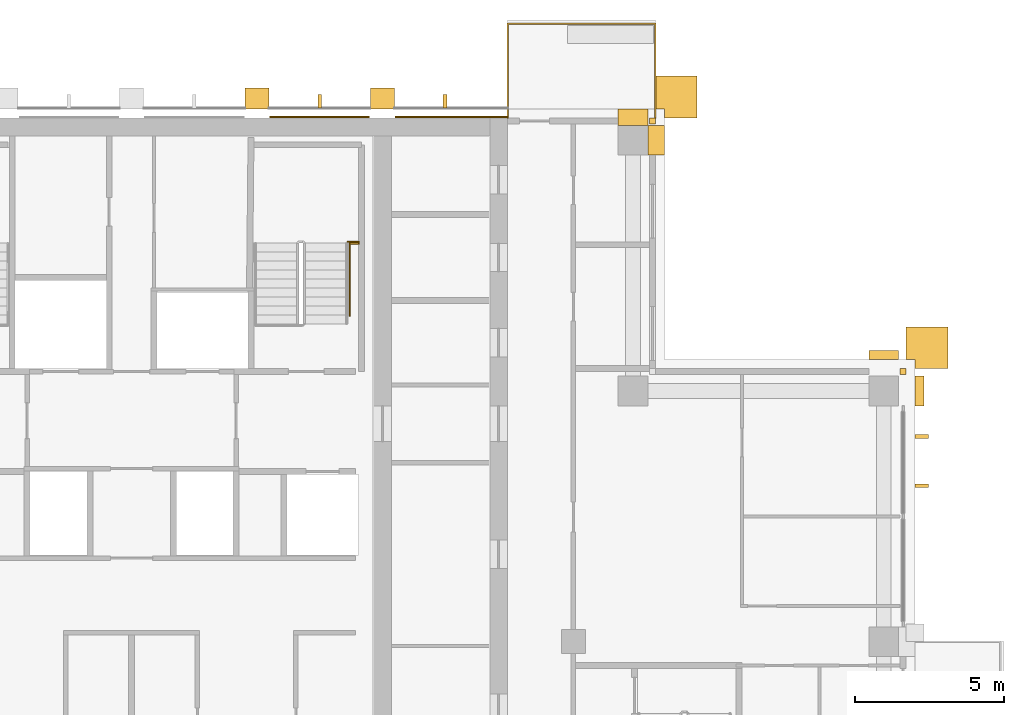
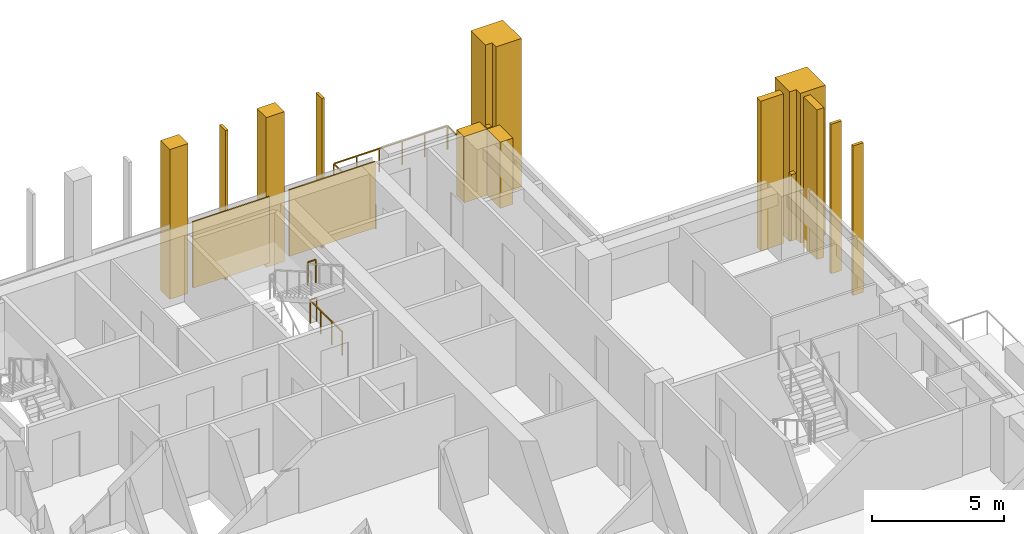
# One storey, part 18 of 18: 16 coverings, 3 railings.
"""IFC4 building model written with IfcOpenShell, lengths in metres."""

from ifc_helpers import new_model, si_unit, direction, frame, origin, origin_2d, place, context, subcontext, project, spatial, polyline, rectangle, outline, extrude, material, layer, layer_set, type_object, element, save


model = new_model("IFC4")

# Units and contexts
model_context = context("Model", 3, precision=1e-05, world=origin(), true_north=direction((0.0, 1.0)))
body_context = subcontext(model_context, "Body", "Model", "MODEL_VIEW")
ifc_project = project(units=[si_unit("LENGTHUNIT", "METRE"), si_unit("AREAUNIT", "SQUARE_METRE"), si_unit("VOLUMEUNIT", "CUBIC_METRE"), si_unit("PLANEANGLEUNIT", "RADIAN"), si_unit("MASSUNIT", "GRAM", prefix="KILO")], contexts=[model_context])

# Site, building, storey
site_placement = place(None, origin())
site = spatial("IfcSite", under=ifc_project, at=site_placement, CompositionType="ELEMENT")
building_placement = place(site_placement, origin())
building = spatial("IfcBuilding", under=site, at=building_placement, Name="Vermilion Ogive Tower", CompositionType="ELEMENT")
storey_placement = place(building_placement, frame((0.0, 0.0, 199.699951171875)))
storey = spatial("IfcBuildingStorey", under=building, at=storey_placement, Name="L52", CompositionType="ELEMENT", Elevation=199.699951171875)

# Railing
ifc_material_1 = material(Name="Stainless steel and glass", Category="steel")
railing_type_1 = type_object("IfcRailingType", Name="Balcony guard", PredefinedType="GUARDRAIL", material=ifc_material_1)
railing_1_placement = place(storey_placement, frame((17.550048828125, 21.75, -0.0400390625)))
element("IfcRailing", 1, at=railing_1_placement, inside=storey, type_object=railing_type_1, Name="Guard N101", PredefinedType="GUARDRAIL", context=body_context, shape_type="SweptSolid", body=[
    extrude(rectangle(XDim=0.048095703125, YDim=0.048095703125, at=origin_2d()), frame((0.0, 0.0, 1.076171875), z_axis=(0.0, 1.0, 0.0), x_axis=(-1.0, 0.0, 0.0)), (0.0, 0.0, 1.0), 3.159912109375),
    extrude(rectangle(XDim=0.048095703125, YDim=0.048095703125, at=origin_2d()), frame((0.0, 3.159912109375, 1.076171875), z_axis=(-1.0, 0.0, 0.0), x_axis=(0.0, -1.0, 0.0)), (0.0, 0.0, 1.0), 4.949951171875),
    extrude(rectangle(XDim=0.048095703125, YDim=0.048095703125, at=origin_2d()), frame((-4.949951171875, 3.159912109375, 1.076171875), z_axis=(0.0, -1.0, 0.0), x_axis=(1.0, 0.0, 0.0)), (0.0, 0.0, 1.0), 3.159912109375),
    extrude(rectangle(XDim=0.0419921875, YDim=0.0419921875, at=origin_2d()), origin(), (0.0, 0.0, 1.0), 1.052001953125),
    extrude(rectangle(XDim=0.0419921875, YDim=0.0419921875, at=origin_2d()), frame((0.0, 1.05322265625, 0.0)), (0.0, 0.0, 1.0), 1.052001953125),
    extrude(rectangle(XDim=0.0419921875, YDim=0.0419921875, at=origin_2d()), frame((0.0, 2.106689453125, 0.0)), (0.0, 0.0, 1.0), 1.052001953125),
    extrude(rectangle(XDim=0.0419921875, YDim=0.0419921875, at=origin_2d()), frame((0.0, 3.159912109375, 0.0)), (0.0, 0.0, 1.0), 1.052001953125),
    extrude(rectangle(XDim=0.0419921875, YDim=0.0419921875, at=origin_2d()), frame((-0.989990234375, 3.159912109375, 0.0)), (0.0, 0.0, 1.0), 1.052001953125),
    extrude(rectangle(XDim=0.0419921875, YDim=0.0419921875, at=origin_2d()), frame((-1.97998046875, 3.159912109375, 0.0)), (0.0, 0.0, 1.0), 1.052001953125),
    extrude(rectangle(XDim=0.0419921875, YDim=0.0419921875, at=origin_2d()), frame((-2.969970703125, 3.159912109375, 0.0)), (0.0, 0.0, 1.0), 1.052001953125),
    extrude(rectangle(XDim=0.0419921875, YDim=0.0419921875, at=origin_2d()), frame((-3.9599609375, 3.159912109375, 0.0)), (0.0, 0.0, 1.0), 1.052001953125),
    extrude(rectangle(XDim=0.0419921875, YDim=0.0419921875, at=origin_2d()), frame((-4.949951171875, 3.159912109375, 0.0)), (0.0, 0.0, 1.0), 1.052001953125),
    extrude(rectangle(XDim=0.0419921875, YDim=0.0419921875, at=origin_2d()), frame((-4.949951171875, 2.106689453125, 0.0)), (0.0, 0.0, 1.0), 1.052001953125),
    extrude(rectangle(XDim=0.0419921875, YDim=0.0419921875, at=origin_2d()), frame((-4.949951171875, 1.05322265625, 0.0)), (0.0, 0.0, 1.0), 1.052001953125),
    extrude(rectangle(XDim=0.0419921875, YDim=0.0419921875, at=origin_2d()), frame((-4.949951171875, 0.0, 0.0)), (0.0, 0.0, 1.0), 1.052001953125),
])

# Coverings
ifc_material_2 = material(Name="Glazed ceramic screen")
ifc_layer = layer(ifc_material_2, 0.14990234375)
ifc_layer_set = layer_set([ifc_layer], Name="Ceramic solar screen fin")
covering_type_1 = type_object("IfcCoveringType", Name="Ceramic solar screen fin", PredefinedType="CLADDING", material=ifc_layer_set)
covering_1_placement = place(storey_placement, frame((0.0, 0.0, -0.39990234375)))
element("IfcCovering", 2, at=covering_1_placement, inside=storey, type_object=covering_type_1, Name="Solar screen blade E021", PredefinedType="CLADDING", context=body_context, shape_type="SweptSolid", body=[
    extrude(outline(polyline([(26.699951171875, 9.364990234375), (26.699951171875, 9.485107421875), (26.25, 9.485107421875), (26.25, 9.364990234375), (26.699951171875, 9.364990234375)])), origin(), (0.0, 0.0, 1.0), 6.89990234375),
])
covering_2_placement = place(storey_placement, frame((0.0, 0.0, -0.39990234375)))
element("IfcCovering", 3, at=covering_2_placement, inside=storey, type_object=covering_type_1, Name="Solar screen blade E022", PredefinedType="CLADDING", context=body_context, shape_type="SweptSolid", body=[
    extrude(outline(polyline([(26.699951171875, 11.014892578125), (26.699951171875, 11.135009765625), (26.25, 11.135009765625), (26.25, 11.014892578125), (26.699951171875, 11.014892578125)])), origin(), (0.0, 0.0, 1.0), 6.89990234375),
])
covering_3_placement = place(storey_placement, frame((0.0, 0.0, -0.39990234375)))
element("IfcCovering", 4, at=covering_3_placement, inside=storey, type_object=covering_type_1, Name="Solar screen blade N5", PredefinedType="CLADDING", context=body_context, shape_type="SweptSolid", body=[
    extrude(outline(polyline([(6.239990234375, 22.08203125), (6.360107421875, 22.08203125), (6.360107421875, 22.531982421875), (6.239990234375, 22.531982421875), (6.239990234375, 22.08203125)])), origin(), (0.0, 0.0, 1.0), 6.89990234375),
])
covering_4_placement = place(storey_placement, frame((0.0, 0.0, -0.39990234375)))
element("IfcCovering", 5, at=covering_4_placement, inside=storey, type_object=covering_type_1, Name="Solar screen blade N6", PredefinedType="CLADDING", context=body_context, shape_type="SweptSolid", body=[
    extrude(outline(polyline([(10.43994140625, 22.08203125), (10.56005859375, 22.08203125), (10.56005859375, 22.531982421875), (10.43994140625, 22.531982421875), (10.43994140625, 22.08203125)])), origin(), (0.0, 0.0, 1.0), 6.89990234375),
])

# Railings
ifc_material_3 = material(Name="Steel S355 painted", Category="steel")
railing_type_2 = type_object("IfcRailingType", Name="Stair guard 1100", PredefinedType="GUARDRAIL", material=ifc_material_3)
railing_2_placement = place(storey_placement, frame((7.25, 17.60009765625, 1.72509765625)))
element("IfcRailing", 6, at=railing_2_placement, inside=storey, type_object=railing_type_2, Name="L52 landing guard", PredefinedType="GUARDRAIL", context=body_context, shape_type="SweptSolid", body=[
    extrude(rectangle(XDim=0.048095703125, YDim=0.048095703125, at=origin_2d()), frame((0.0, 0.0, 1.076171875), z_axis=(1.0, 0.0, 0.0), x_axis=(0.0, 1.0, 0.0)), (0.0, 0.0, 1.0), 0.35009765625),
    extrude(rectangle(XDim=0.0419921875, YDim=0.0419921875, at=origin_2d()), origin(), (0.0, 0.0, 1.0), 1.052001953125),
    extrude(rectangle(XDim=0.0419921875, YDim=0.0419921875, at=origin_2d()), frame((0.35009765625, 0.0, 0.0)), (0.0, 0.0, 1.0), 1.052001953125),
])
railing_3_placement = place(storey_placement, frame((7.599609375, 17.54296875, 0.0)))
element("IfcRailing", 7, at=railing_3_placement, inside=storey, type_object=railing_type_2, Name="L52 stair opening guard", PredefinedType="GUARDRAIL", context=body_context, shape_type="SweptSolid", body=[
    extrude(rectangle(XDim=0.048095703125, YDim=0.048095703125, at=origin_2d()), frame((0.0, 0.0, 1.076171875), z_axis=(-1.0, 0.0, 0.0), x_axis=(0.0, -1.0, 0.0)), (0.0, 0.0, 1.0), 0.2900390625),
    extrude(rectangle(XDim=0.048095703125, YDim=0.048095703125, at=origin_2d()), frame((-0.2900390625, 0.0, 1.076171875), z_axis=(0.0, -1.0, 0.0), x_axis=(1.0, 0.0, 0.0)), (0.0, 0.0, 1.0), 2.42431640625),
    extrude(rectangle(XDim=0.0419921875, YDim=0.0419921875, at=origin_2d()), origin(), (0.0, 0.0, 1.0), 1.052001953125),
    extrude(rectangle(XDim=0.0419921875, YDim=0.0419921875, at=origin_2d()), frame((-0.2900390625, 0.0, 0.0)), (0.0, 0.0, 1.0), 1.052001953125),
    extrude(rectangle(XDim=0.0419921875, YDim=0.0419921875, at=origin_2d()), frame((-0.2900390625, -0.80810546875, 0.0)), (0.0, 0.0, 1.0), 1.052001953125),
    extrude(rectangle(XDim=0.0419921875, YDim=0.0419921875, at=origin_2d()), frame((-0.2900390625, -1.6162109375, 0.0)), (0.0, 0.0, 1.0), 1.052001953125),
    extrude(rectangle(XDim=0.0419921875, YDim=0.0419921875, at=origin_2d()), frame((-0.2900390625, -2.42431640625, 0.0)), (0.0, 0.0, 1.0), 1.052001953125),
])

# Coverings
ifc_material_4 = material(Name="Stone cladding", Category="masonry")
covering_type_2 = type_object("IfcCoveringType", Name="Stone buttress pier", PredefinedType="CLADDING", material=ifc_material_4)
covering_5_placement = place(storey_placement, frame((0.0, 0.0, -0.39990234375)))
element("IfcCovering", 8, at=covering_5_placement, inside=storey, type_object=covering_type_2, Name="Stone buttress pier N4", PredefinedType="CLADDING", context=body_context, shape_type="SweptSolid", body=[
    extrude(outline(polyline([(4.60009765625, 22.75), (4.60009765625, 22.050048828125), (3.800048828125, 22.050048828125), (3.800048828125, 22.75), (4.60009765625, 22.75)])), origin(), (0.0, 0.0, 1.0), 6.89990234375),
])
covering_6_placement = place(storey_placement, frame((0.0, 0.0, -0.39990234375)))
element("IfcCovering", 9, at=covering_6_placement, inside=storey, type_object=covering_type_2, Name="Stone buttress pier N5", PredefinedType="CLADDING", context=body_context, shape_type="SweptSolid", body=[
    extrude(outline(polyline([(8.800048828125, 22.75), (8.800048828125, 22.050048828125), (8.0, 22.050048828125), (8.0, 22.75), (8.800048828125, 22.75)])), origin(), (0.0, 0.0, 1.0), 6.89990234375),
])
ifc_material_5 = material(Name="Stone cladding", Category="masonry")
covering_type_3 = type_object("IfcCoveringType", Name="Stone cladding panel", PredefinedType="CLADDING", material=ifc_material_5)
covering_7_placement = place(storey_placement, origin())
element("IfcCovering", 10, at=covering_7_placement, inside=storey, type_object=covering_type_3, Name="Stone cladding panel N5", PredefinedType="CLADDING", context=body_context, shape_type="SweptSolid", body=[
    extrude(outline(polyline([(4.6298828125, 21.75), (7.969970703125, 21.75), (7.969970703125, 21.81005859375), (4.6298828125, 21.81005859375), (4.6298828125, 21.75)])), origin(), (0.0, 0.0, 1.0), 3.050048828125),
])
covering_8_placement = place(storey_placement, origin())
element("IfcCovering", 11, at=covering_8_placement, inside=storey, type_object=covering_type_3, Name="Stone cladding panel N6", PredefinedType="CLADDING", context=body_context, shape_type="SweptSolid", body=[
    extrude(outline(polyline([(8.830078125, 21.75), (12.590087890625, 21.75), (12.590087890625, 21.81005859375), (8.830078125, 21.81005859375), (8.830078125, 21.75)])), origin(), (0.0, 0.0, 1.0), 3.050048828125),
])
ifc_material_6 = material(Name="Stone cladding", Category="masonry")
covering_type_4 = type_object("IfcCoveringType", Name="Stone corner buttress", PredefinedType="CLADDING", material=ifc_material_6)
covering_9_placement = place(storey_placement, frame((0.0, 0.0, -0.39990234375)))
element("IfcCovering", 12, at=covering_9_placement, inside=storey, type_object=covering_type_4, Name="Stone corner buttress X31", PredefinedType="CLADDING", context=body_context, shape_type="SweptSolid", body=[
    extrude(outline(polyline([(26.25, 13.35009765625), (26.25, 13.64990234375), (25.949951171875, 13.64990234375), (25.949951171875, 14.75), (27.35009765625, 14.75), (27.35009765625, 13.35009765625), (26.25, 13.35009765625)])), origin(), (0.0, 0.0, 1.0), 6.89990234375),
])
covering_10_placement = place(storey_placement, frame((0.0, 0.0, -0.39990234375)))
element("IfcCovering", 13, at=covering_10_placement, inside=storey, type_object=covering_type_4, Name="Stone corner buttress N11", PredefinedType="CLADDING", context=body_context, shape_type="SweptSolid", body=[
    extrude(outline(polyline([(17.85009765625, 22.050048828125), (17.550048828125, 22.050048828125), (17.550048828125, 23.14990234375), (18.949951171875, 23.14990234375), (18.949951171875, 21.75), (17.85009765625, 21.75), (17.85009765625, 22.050048828125)])), origin(), (0.0, 0.0, 1.0), 6.89990234375),
])
ifc_material_7 = material(Name="Stone cladding", Category="masonry")
covering_type_5 = type_object("IfcCoveringType", Name="Stone pier", PredefinedType="CLADDING", material=ifc_material_7)
covering_11_placement = place(storey_placement, origin())
element("IfcCovering", 14, at=covering_11_placement, inside=storey, type_object=covering_type_5, Name="Stone corner pier EE1", PredefinedType="CLADDING", context=body_context, shape_type="SweptSolid", body=[
    extrude(outline(polyline([(25.75, 13.14990234375), (25.75, 13.35009765625), (25.949951171875, 13.35009765625), (25.949951171875, 13.14990234375), (25.75, 13.14990234375)])), origin(), (0.0, 0.0, 1.0), 3.050048828125),
])
covering_12_placement = place(storey_placement, origin())
element("IfcCovering", 15, at=covering_12_placement, inside=storey, type_object=covering_type_5, Name="Stone corner pier X4E1", PredefinedType="CLADDING", context=body_context, shape_type="SweptSolid", body=[
    extrude(outline(polyline([(17.35009765625, 21.550048828125), (17.35009765625, 21.75), (17.550048828125, 21.75), (17.550048828125, 21.550048828125), (17.35009765625, 21.550048828125)])), origin(), (0.0, 0.0, 1.0), 3.050048828125),
])
covering_13_placement = place(storey_placement, frame((0.0, 0.0, -0.39990234375)))
element("IfcCovering", 16, at=covering_13_placement, inside=storey, type_object=covering_type_5, Name="Stone pier P+0252+126E", PredefinedType="CLADDING", context=body_context, shape_type="SweptSolid", body=[
    extrude(outline(polyline([(26.550048828125, 13.10009765625), (26.550048828125, 12.10009765625), (26.25, 12.10009765625), (26.25, 13.10009765625), (26.550048828125, 13.10009765625)])), origin(), (0.0, 0.0, 1.0), 6.89990234375),
])
covering_14_placement = place(storey_placement, frame((0.0, 0.0, -0.39990234375)))
element("IfcCovering", 17, at=covering_14_placement, inside=storey, type_object=covering_type_5, Name="Stone pier P+0252+126X3", PredefinedType="CLADDING", context=body_context, shape_type="SweptSolid", body=[
    extrude(outline(polyline([(25.699951171875, 13.949951171875), (25.699951171875, 13.64990234375), (24.699951171875, 13.64990234375), (24.699951171875, 13.949951171875), (25.699951171875, 13.949951171875)])), origin(), (0.0, 0.0, 1.0), 6.89990234375),
])
covering_15_placement = place(storey_placement, origin())
element("IfcCovering", 18, at=covering_15_placement, inside=storey, type_object=covering_type_5, Name="Stone pier P+0168+210X4", PredefinedType="CLADDING", context=body_context, shape_type="SweptSolid", body=[
    extrude(outline(polyline([(17.85009765625, 21.5), (17.85009765625, 20.5), (17.300048828125, 20.5), (17.300048828125, 21.5), (17.85009765625, 21.5)])), origin(), (0.0, 0.0, 1.0), 3.050048828125),
])
covering_16_placement = place(storey_placement, origin())
element("IfcCovering", 19, at=covering_16_placement, inside=storey, type_object=covering_type_5, Name="Stone pier P+0168+210N1", PredefinedType="CLADDING", context=body_context, shape_type="SweptSolid", body=[
    extrude(outline(polyline([(17.300048828125, 22.050048828125), (17.300048828125, 21.5), (16.300048828125, 21.5), (16.300048828125, 22.050048828125), (17.300048828125, 22.050048828125)])), origin(), (0.0, 0.0, 1.0), 3.050048828125),
])

save(model, "model.ifc")
